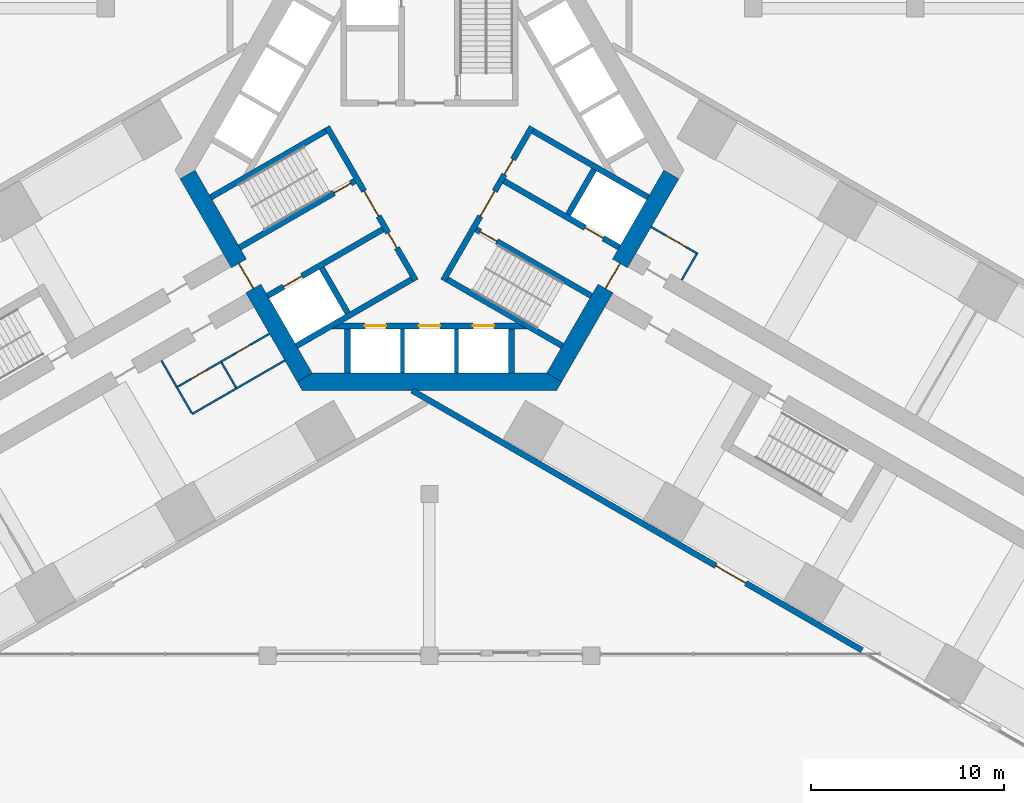
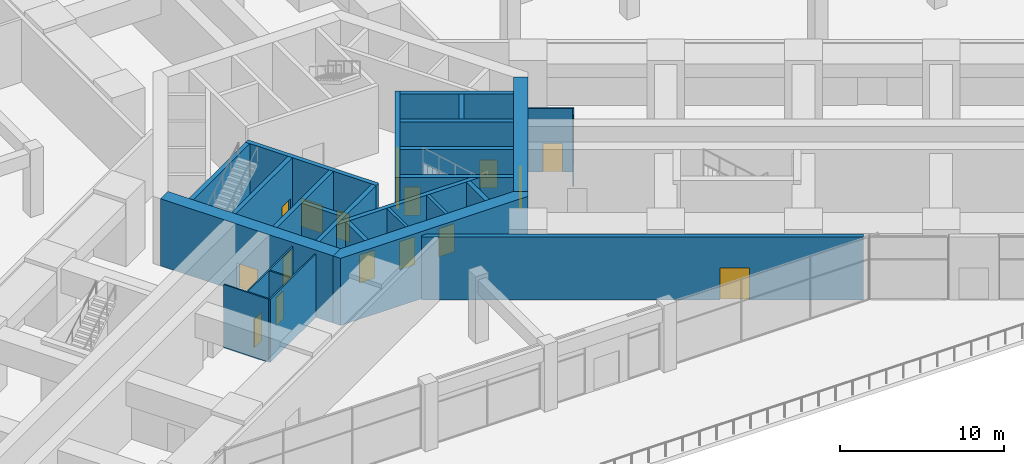
# One storey, part 27 of 34: 27 walls, 17 doors, 17 openings.
"""IFC4 building model written with IfcOpenShell, lengths in metres."""

from ifc_helpers import new_model, si_unit, direction, frame, frame_2d, origin, place, context, subcontext, project, spatial, polyline, rectangle, outline, extrude, material, layer, layer_set, type_object, element, fill, save


model = new_model("IFC4")

# Units and contexts
model_context = context("Model", 3, precision=1e-05, world=origin(), true_north=direction((0.0, 1.0)))
body_context = subcontext(model_context, "Body", "Model", "MODEL_VIEW")
ifc_project = project(units=[si_unit("LENGTHUNIT", "METRE"), si_unit("AREAUNIT", "SQUARE_METRE"), si_unit("VOLUMEUNIT", "CUBIC_METRE"), si_unit("PLANEANGLEUNIT", "RADIAN"), si_unit("MASSUNIT", "GRAM", prefix="KILO")], contexts=[model_context])

# Site, building, storey
site_placement = place(None, origin())
site = spatial("IfcSite", under=ifc_project, at=site_placement, CompositionType="ELEMENT")
building_placement = place(site_placement, origin())
building = spatial("IfcBuilding", under=site, at=building_placement, Name="Impinga Residences", CompositionType="ELEMENT")
storey_placement = place(building_placement, frame((0.0, 0.0, 11.0)))
storey = spatial("IfcBuildingStorey", under=building, at=storey_placement, Name="L02", CompositionType="ELEMENT", Elevation=11.0)

# Wall, opening, door
ifc_material_1 = material(Name="Concrete blockwork", Category="masonry")
ifc_layer_1 = layer(ifc_material_1, 0.10009765625)
ifc_layer_set_1 = layer_set([ifc_layer_1], Name="CP1 core room partition, blockwork 100")
wall_type_1 = type_object("IfcWallType", Name="CP1 core room partition, blockwork 100", PredefinedType="PARTITIONING", material=ifc_layer_set_1)
wall_1_placement = place(storey_placement, frame((11.5, -2.944580078125, 0.0), z_axis=(0.0, 0.0, 1.0), x_axis=(0.866034573852, -0.49998411664, 0.0)))
wall_1 = element("IfcWall", 1, at=wall_1_placement, inside=storey, type_object=wall_type_1, Name="Core room partition, blockwork L02-EA1:L1", PredefinedType="PARTITIONING", context=body_context, shape_type="SweptSolid", body=[
    extrude(rectangle(XDim=2.7998046875, YDim=0.10009765625, at=frame_2d((1.39990234375, 0.0))), origin(), (0.0, 0.0, 1.0), 4.699951171875),
])
opening_1_placement = place(wall_1_placement, frame((0.89990234375, 0.0, 0.0)))
opening_1 = element("IfcOpeningElement", 2, at=opening_1_placement, cuts=wall_1, Name="Opening D3", PredefinedType="OPENING", context=body_context, shape_type="SweptSolid", body=[
    extrude(rectangle(XDim=1.199951171875, YDim=2.10009765625, at=frame_2d((0.60009765625, 1.050048828125))), frame((0.0, 0.06005859375, 0.0), z_axis=(0.0, -1.0, 0.0), x_axis=(1.0, 0.0, 0.0)), (0.0, 0.0, 1.0), 0.1201171875),
])
ifc_material_2 = material(Name="Timber door set", Category="wood")
door_type_1 = type_object("IfcDoorType", Name="D3 room door, leaf and a half 1200x2100", OperationType="DOUBLE_SWING_LEFT", PredefinedType="DOOR", material=ifc_material_2)
door_1_placement = place(opening_1_placement, origin())
door_1 = element("IfcDoor", 3, at=door_1_placement, inside=storey, type_object=door_type_1, Name="Filtration plant room door L02-EA1", OperationType="DOUBLE_SWING_LEFT", OverallHeight=2.10009765625, OverallWidth=1.199951171875, PredefinedType="DOOR", context=body_context, shape_type="SweptSolid", body=[
    extrude(rectangle(XDim=1.199951171875, YDim=2.10009765625, at=frame_2d((0.60009765625, 1.050048828125))), frame((0.0, 0.02490234375, 0.0), z_axis=(0.0, -1.0, 0.0), x_axis=(1.0, 0.0, 0.0)), (0.0, 0.0, 1.0), 0.050048828125),
])
fill(opening_1, door_1)

# Wall
wall_2_placement = place(storey_placement, frame((13.08154296875, -5.705078125, 0.0), z_axis=(0.0, 0.0, 1.0), x_axis=(0.500086022567, 0.865975732936, 0.0)))
element("IfcWall", 4, at=wall_2_placement, inside=storey, type_object=wall_type_1, Name="Core room partition, blockwork L02-EA1:L2", PredefinedType="PARTITIONING", context=body_context, shape_type="SweptSolid", body=[
    extrude(rectangle(XDim=1.550048828125, YDim=0.10009765625, at=frame_2d((0.77490234375, 0.0))), origin(), (0.0, 0.0, 1.0), 4.699951171875),
])

# Wall, openings, doors
ifc_material_3 = material(Name="Gypsum board on steel studs", Category="steel")
ifc_layer_2 = layer(ifc_material_3, 0.10009765625)
ifc_layer_set_2 = layer_set([ifc_layer_2], Name="Gypsum board on steel studs")
wall_type_2 = type_object("IfcWallType", Name="IP1 partition 100", PredefinedType="PARTITIONING", material=ifc_layer_set_2)
wall_3_placement = place(storey_placement, frame((-8.300048828125, -8.487060546875, 0.0), z_axis=(0.0, 0.0, 1.0), x_axis=(-0.866015695474, -0.500016814911, 0.0)))
wall_3 = element("IfcWall", 5, at=wall_3_placement, inside=storey, type_object=wall_type_2, Name="Partition L02-WA1:L1", PredefinedType="PARTITIONING", context=body_context, shape_type="SweptSolid", body=[
    extrude(rectangle(XDim=5.599853515625, YDim=0.10009765625, at=frame_2d((2.7998046875, 0.0))), origin(), (0.0, 0.0, 1.0), 4.699951171875),
])
opening_2_placement = place(wall_3_placement, frame((1.125, 0.0, 0.0)))
opening_2 = element("IfcOpeningElement", 6, at=opening_2_placement, cuts=wall_3, Name="Opening D2", PredefinedType="OPENING", context=body_context, shape_type="SweptSolid", body=[
    extrude(rectangle(XDim=0.89990234375, YDim=2.10009765625, at=frame_2d((0.449951171875, 1.050048828125))), frame((0.0, 0.06005859375, 0.0), z_axis=(0.0, -1.0, 0.0), x_axis=(1.0, 0.0, 0.0)), (0.0, 0.0, 1.0), 0.1201171875),
])
opening_3_placement = place(wall_3_placement, frame((3.77490234375, 0.0, 0.0)))
opening_3 = element("IfcOpeningElement", 7, at=opening_3_placement, cuts=wall_3, Name="Opening D2", PredefinedType="OPENING", context=body_context, shape_type="SweptSolid", body=[
    extrude(rectangle(XDim=0.89990234375, YDim=2.10009765625, at=frame_2d((0.449951171875, 1.050048828125))), frame((0.0, 0.06005859375, 0.0), z_axis=(0.0, -1.0, 0.0), x_axis=(1.0, 0.0, 0.0)), (0.0, 0.0, 1.0), 0.1201171875),
])
door_type_2 = type_object("IfcDoorType", Name="D2 internal door 900x2100", OperationType="SINGLE_SWING_LEFT", PredefinedType="DOOR", material=ifc_material_2)
door_2_placement = place(opening_2_placement, origin())
door_2 = element("IfcDoor", 8, at=door_2_placement, inside=storey, type_object=door_type_2, Name="WC door L02-WA1", OperationType="SINGLE_SWING_LEFT", OverallHeight=2.10009765625, OverallWidth=0.89990234375, PredefinedType="DOOR", context=body_context, shape_type="SweptSolid", body=[
    extrude(rectangle(XDim=0.89990234375, YDim=2.10009765625, at=frame_2d((0.449951171875, 1.050048828125))), frame((0.0, 0.02490234375, 0.0), z_axis=(0.0, -1.0, 0.0), x_axis=(1.0, 0.0, 0.0)), (0.0, 0.0, 1.0), 0.050048828125),
])
fill(opening_2, door_2)
door_3_placement = place(opening_3_placement, origin())
door_3 = element("IfcDoor", 9, at=door_3_placement, inside=storey, type_object=door_type_2, Name="Accessible WC door L02-WA1", OperationType="SINGLE_SWING_RIGHT", OverallHeight=2.10009765625, OverallWidth=0.89990234375, PredefinedType="DOOR", context=body_context, shape_type="SweptSolid", body=[
    extrude(rectangle(XDim=0.89990234375, YDim=2.10009765625, at=frame_2d((0.449951171875, 1.050048828125))), frame((0.0, 0.02490234375, 0.0), z_axis=(0.0, -1.0, 0.0), x_axis=(1.0, 0.0, 0.0)), (0.0, 0.0, 1.0), 0.050048828125),
])
fill(opening_3, door_3)

# Walls
wall_4_placement = place(storey_placement, frame((-10.786376953125, -9.98046875, 0.0), z_axis=(0.0, 0.0, 1.0), x_axis=(0.500060622324, -0.86599040064, 0.0)))
element("IfcWall", 10, at=wall_4_placement, inside=storey, type_object=wall_type_2, Name="Partition L02-WA1:T1", PredefinedType="PARTITIONING", context=body_context, shape_type="SweptSolid", body=[
    extrude(rectangle(XDim=1.499755859375, YDim=0.10009765625, at=frame_2d((0.75, 0.0))), origin(), (0.0, 0.0, 1.0), 4.699951171875),
])
wall_5_placement = place(storey_placement, frame((-7.5, -9.872802734375, 0.0), z_axis=(0.0, 0.0, 1.0), x_axis=(-0.866031018186, -0.499990275446, 0.0)))
element("IfcWall", 11, at=wall_5_placement, inside=storey, type_object=wall_type_2, Name="Partition L02-WA1:T2", PredefinedType="PARTITIONING", context=body_context, shape_type="SweptSolid", body=[
    extrude(rectangle(XDim=5.5498046875, YDim=0.10009765625, at=frame_2d((2.77490234375, 0.0))), origin(), (0.0, 0.0, 1.0), 4.699951171875),
])
wall_6_placement = place(storey_placement, frame((-13.906494140625, -9.87646484375, 0.0), z_axis=(0.0, 0.0, 1.0), x_axis=(0.499981869177, -0.866035871367, 0.0)))
element("IfcWall", 12, at=wall_6_placement, inside=storey, type_object=wall_type_2, Name="Partition L02-WA1:T3", PredefinedType="PARTITIONING", context=body_context, shape_type="SweptSolid", body=[
    extrude(rectangle(XDim=3.14990234375, YDim=0.10009765625, at=frame_2d((1.574951171875, 0.0))), origin(), (0.0, 0.0, 1.0), 4.699951171875),
])

# Wall, opening, door
ifc_layer_3 = layer(ifc_material_1, 0.300048828125)
ifc_layer_set_3 = layer_set([ifc_layer_3], Name="PW3 podium wall on the wing face 300")
wall_type_3 = type_object("IfcWallType", Name="PW3 podium wall on the wing face 300", PredefinedType="SOLIDWALL", material=ifc_layer_set_3)
wall_7_placement = place(storey_placement, frame((-0.89990234375, -11.431640625, 0.0), z_axis=(0.0, 0.0, 1.0), x_axis=(0.866028700395, -0.49999429006, 0.0)))
wall_7 = element("IfcWall", 13, at=wall_7_placement, inside=storey, type_object=wall_type_3, Name="Podium wall on the wing face L02:SIDE:EF0", PredefinedType="SOLIDWALL", context=body_context, shape_type="SweptSolid", body=[
    extrude(rectangle(XDim=26.950927734375, YDim=0.300048828125, at=frame_2d((13.4755859375, 0.0))), origin(), (0.0, 0.0, 1.0), 4.699951171875),
])
opening_4_placement = place(wall_7_placement, frame((18.1953125, 0.0, 0.0)))
opening_4 = element("IfcOpeningElement", 14, at=opening_4_placement, cuts=wall_7, Name="Opening D7", PredefinedType="OPENING", context=body_context, shape_type="SweptSolid", body=[
    extrude(rectangle(XDim=1.800048828125, YDim=2.39990234375, at=frame_2d((0.89990234375, 1.199951171875))), frame((0.0, 0.159912109375, 0.0), z_axis=(0.0, -1.0, 0.0), x_axis=(1.0, 0.0, 0.0)), (0.0, 0.0, 1.0), 0.320068359375),
])
door_type_3 = type_object("IfcDoorType", Name="D7 podium door pair 1800x2400", OperationType="DOUBLE_DOOR_DOUBLE_SWING", PredefinedType="DOOR", material=ifc_material_2)
door_4_placement = place(opening_4_placement, origin())
door_4 = element("IfcDoor", 15, at=door_4_placement, inside=storey, type_object=door_type_3, Name="Double door EF", OperationType="DOUBLE_DOOR_DOUBLE_SWING", OverallHeight=2.39990234375, OverallWidth=1.800048828125, PredefinedType="DOOR", context=body_context, shape_type="SweptSolid", body=[
    extrude(rectangle(XDim=1.800048828125, YDim=2.39990234375, at=frame_2d((0.89990234375, 1.199951171875))), frame((0.0, 0.02490234375, 0.0), z_axis=(0.0, -1.0, 0.0), x_axis=(1.0, 0.0, 0.0)), (0.0, 0.0, 1.0), 0.050048828125),
])
fill(opening_4, door_4)

ifc_material_4 = material(Name="Concrete C70/85", Category="concrete")
ifc_layer_4 = layer(ifc_material_4, 0.89990234375)
ifc_layer_set_4 = layer_set([ifc_layer_4], Name="Concrete C70/85")
wall_type_4 = type_object("IfcWallType", Name="SW1 core wall 900", PredefinedType="SHEAR", material=ifc_layer_set_4)
wall_8_placement = place(storey_placement, frame((-6.47021484375, -10.756591796875, 0.0), z_axis=(0.0, 0.0, 1.0), x_axis=(-0.499997612506, 0.8660267822, 0.0)))
wall_8 = element("IfcWall", 16, at=wall_8_placement, inside=storey, type_object=wall_type_4, Name="Core wall SW1 W:FACE L02", PredefinedType="SHEAR", context=body_context, shape_type="SweptSolid", body=[
    extrude(rectangle(XDim=12.16064453125, YDim=0.89990234375, at=frame_2d((6.080322265625, 0.0))), origin(), (0.0, 0.0, 1.0), 5.0),
])
opening_5_placement = place(wall_8_placement, frame((5.330322265625, 0.0, 0.0)))
opening_5 = element("IfcOpeningElement", 17, at=opening_5_placement, cuts=wall_8, Name="Opening D4", PredefinedType="OPENING", context=body_context, shape_type="SweptSolid", body=[
    extrude(rectangle(XDim=1.5, YDim=2.10009765625, at=frame_2d((0.75, 1.050048828125))), frame((0.0, 0.4599609375, 0.0), z_axis=(0.0, -1.0, 0.0), x_axis=(1.0, 0.0, 0.0)), (0.0, 0.0, 1.0), 0.919921875),
])
door_type_4 = type_object("IfcDoorType", Name="D4 lobby door pair 1500x2100", OperationType="DOUBLE_DOOR_DOUBLE_SWING", PredefinedType="DOOR", material=ifc_material_2)
door_5_placement = place(opening_5_placement, origin())
door_5 = element("IfcDoor", 18, at=door_5_placement, inside=storey, type_object=door_type_4, Name="Lobby door W", OperationType="DOUBLE_DOOR_DOUBLE_SWING", OverallHeight=2.10009765625, OverallWidth=1.5, PredefinedType="DOOR", context=body_context, shape_type="SweptSolid", body=[
    extrude(rectangle(XDim=1.5, YDim=2.10009765625, at=frame_2d((0.75, 1.050048828125))), frame((0.0, 0.02490234375, 0.0), z_axis=(0.0, -1.0, 0.0), x_axis=(1.0, 0.0, 0.0)), (0.0, 0.0, 1.0), 0.050048828125),
])
fill(opening_5, door_5)

wall_9_placement = place(storey_placement, frame((12.550537109375, -0.22509765625, 0.0), z_axis=(0.0, 0.0, 1.0), x_axis=(-0.499997612506, -0.8660267822, 0.0)))
wall_9 = element("IfcWall", 19, at=wall_9_placement, inside=storey, type_object=wall_type_4, Name="Core wall SW1 E:FACE L02", PredefinedType="SHEAR", context=body_context, shape_type="SweptSolid", body=[
    extrude(rectangle(XDim=12.16064453125, YDim=0.89990234375, at=frame_2d((6.080322265625, 0.0))), origin(), (0.0, 0.0, 1.0), 5.0),
])
opening_6_placement = place(wall_9_placement, frame((5.330322265625, 0.0, 0.0)))
opening_6 = element("IfcOpeningElement", 20, at=opening_6_placement, cuts=wall_9, Name="Opening D4", PredefinedType="OPENING", context=body_context, shape_type="SweptSolid", body=[
    extrude(rectangle(XDim=1.5, YDim=2.10009765625, at=frame_2d((0.75, 1.050048828125))), frame((0.0, 0.4599609375, 0.0), z_axis=(0.0, -1.0, 0.0), x_axis=(1.0, 0.0, 0.0)), (0.0, 0.0, 1.0), 0.919921875),
])
door_6_placement = place(opening_6_placement, origin())
door_6 = element("IfcDoor", 21, at=door_6_placement, inside=storey, type_object=door_type_4, Name="Lobby door E", OperationType="DOUBLE_DOOR_DOUBLE_SWING", OverallHeight=2.10009765625, OverallWidth=1.5, PredefinedType="DOOR", context=body_context, shape_type="SweptSolid", body=[
    extrude(rectangle(XDim=1.5, YDim=2.10009765625, at=frame_2d((0.75, 1.050048828125))), frame((0.0, 0.02490234375, 0.0), z_axis=(0.0, -1.0, 0.0), x_axis=(1.0, 0.0, 0.0)), (0.0, 0.0, 1.0), 0.050048828125),
])
fill(opening_6, door_6)

# Wall
wall_10_placement = place(storey_placement, origin())
element("IfcWall", 22, at=wall_10_placement, inside=storey, type_object=wall_type_4, Name="Core wall SW1 N:EXPOSED L02", PredefinedType="SHEAR", context=body_context, shape_type="SweptSolid", body=[
    extrude(outline(polyline([(-6.60009765625, -11.431640625), (6.60009765625, -11.431640625), (6.85986328125, -10.9814453125), (6.080322265625, -10.531494140625), (-6.080322265625, -10.531494140625), (-6.85986328125, -10.9814453125), (-6.60009765625, -11.431640625)])), origin(), (0.0, 0.0, 1.0), 5.0),
])

# Wall, openings, doors
ifc_layer_5 = layer(ifc_material_4, 0.300048828125)
ifc_layer_set_5 = layer_set([ifc_layer_5], Name="Concrete C70/85")
wall_type_5 = type_object("IfcWallType", Name="SW5 core inner wall, stairs, shafts and lobbies 300", PredefinedType="SHEAR", material=ifc_layer_set_5)
wall_11_placement = place(storey_placement, frame((-0.7138671875, -5.7236328125, 0.0), z_axis=(0.0, 0.0, 1.0), x_axis=(-0.499995050369, 0.866028261437, 0.0)))
wall_11 = element("IfcWall", 23, at=wall_11_placement, inside=storey, type_object=wall_type_5, Name="Core wall SW5 W:ZONE L02", PredefinedType="SHEAR", context=body_context, shape_type="SweptSolid", body=[
    extrude(rectangle(XDim=9.19970703125, YDim=0.300048828125, at=frame_2d((4.599853515625, 0.0))), origin(), (0.0, 0.0, 1.0), 5.0),
])
opening_7_placement = place(wall_11_placement, frame((3.85009765625, 0.0, 0.0)))
opening_7 = element("IfcOpeningElement", 24, at=opening_7_placement, cuts=wall_11, Name="Opening D4", PredefinedType="OPENING", context=body_context, shape_type="SweptSolid", body=[
    extrude(rectangle(XDim=1.5, YDim=2.10009765625, at=frame_2d((0.75, 1.050048828125))), frame((0.0, 0.159912109375, 0.0), z_axis=(0.0, -1.0, 0.0), x_axis=(1.0, 0.0, 0.0)), (0.0, 0.0, 1.0), 0.320068359375),
])
opening_8_placement = place(wall_11_placement, frame((1.949951171875, 0.0, 0.0)))
opening_8 = element("IfcOpeningElement", 25, at=opening_8_placement, cuts=wall_11, Name="Opening D6", PredefinedType="OPENING", context=body_context, shape_type="SweptSolid", body=[
    extrude(rectangle(XDim=0.89990234375, YDim=2.10009765625, at=frame_2d((0.449951171875, 1.050048828125))), frame((0.0, 0.159912109375, 0.0), z_axis=(0.0, -1.0, 0.0), x_axis=(1.0, 0.0, 0.0)), (0.0, 0.0, 1.0), 0.320068359375),
])
door_7_placement = place(opening_7_placement, origin())
door_7 = element("IfcDoor", 26, at=door_7_placement, inside=storey, type_object=door_type_4, Name="Firefighting lobby door W", OperationType="DOUBLE_DOOR_DOUBLE_SWING", OverallHeight=2.10009765625, OverallWidth=1.5, PredefinedType="DOOR", context=body_context, shape_type="SweptSolid", body=[
    extrude(rectangle(XDim=1.5, YDim=2.10009765625, at=frame_2d((0.75, 1.050048828125))), frame((0.0, 0.02490234375, 0.0), z_axis=(0.0, -1.0, 0.0), x_axis=(1.0, 0.0, 0.0)), (0.0, 0.0, 1.0), 0.050048828125),
])
fill(opening_7, door_7)
door_type_5 = type_object("IfcDoorType", Name="D6 riser and store door 900x2100", OperationType="SINGLE_SWING_LEFT", PredefinedType="DOOR", material=ifc_material_2)
door_8_placement = place(opening_8_placement, origin())
door_8 = element("IfcDoor", 27, at=door_8_placement, inside=storey, type_object=door_type_5, Name="Riser door W", OperationType="SINGLE_SWING_LEFT", OverallHeight=2.10009765625, OverallWidth=0.89990234375, PredefinedType="DOOR", context=body_context, shape_type="SweptSolid", body=[
    extrude(rectangle(XDim=0.89990234375, YDim=2.10009765625, at=frame_2d((0.449951171875, 1.050048828125))), frame((0.0, 0.02490234375, 0.0), z_axis=(0.0, -1.0, 0.0), x_axis=(1.0, 0.0, 0.0)), (0.0, 0.0, 1.0), 0.050048828125),
])
fill(opening_8, door_8)

# Wall, opening, door
wall_12_placement = place(storey_placement, frame((-3.86865234375, -0.559326171875, 0.0), z_axis=(0.0, 0.0, 1.0), x_axis=(-0.86602711848, -0.499997030048, 0.0)))
wall_12 = element("IfcWall", 28, at=wall_12_placement, inside=storey, type_object=wall_type_5, Name="Core wall SW5 W:ST-IN L02", PredefinedType="SHEAR", context=body_context, shape_type="SweptSolid", body=[
    extrude(rectangle(XDim=6.9013671875, YDim=0.300048828125, at=frame_2d((3.45068359375, 0.0))), origin(), (0.0, 0.0, 1.0), 5.0),
])
opening_9_placement = place(wall_12_placement, frame((0.25, 0.0, 0.0)))
opening_9 = element("IfcOpeningElement", 29, at=opening_9_placement, cuts=wall_12, Name="Opening D5", PredefinedType="OPENING", context=body_context, shape_type="SweptSolid", body=[
    extrude(rectangle(XDim=1.0, YDim=2.10009765625, at=frame_2d((0.5, 1.050048828125))), frame((0.0, 0.159912109375, 0.0), z_axis=(0.0, -1.0, 0.0), x_axis=(1.0, 0.0, 0.0)), (0.0, 0.0, 1.0), 0.320068359375),
])
door_type_6 = type_object("IfcDoorType", Name="D5 stair door 1000x2100", OperationType="SINGLE_SWING_LEFT", PredefinedType="DOOR", material=ifc_material_2)
door_9_placement = place(opening_9_placement, origin())
door_9 = element("IfcDoor", 30, at=door_9_placement, inside=storey, type_object=door_type_6, Name="Stair door W", OperationType="SINGLE_SWING_LEFT", OverallHeight=2.10009765625, OverallWidth=1.0, PredefinedType="DOOR", context=body_context, shape_type="SweptSolid", body=[
    extrude(rectangle(XDim=1.0, YDim=2.10009765625, at=frame_2d((0.5, 1.050048828125))), frame((0.0, 0.02490234375, 0.0), z_axis=(0.0, -1.0, 0.0), x_axis=(1.0, 0.0, 0.0)), (0.0, 0.0, 1.0), 0.050048828125),
])
fill(opening_9, door_9)

# Wall
wall_13_placement = place(storey_placement, frame((-5.36865234375, 2.038818359375, 0.0), z_axis=(0.0, 0.0, 1.0), x_axis=(-0.86602711848, -0.499997030048, 0.0)))
element("IfcWall", 31, at=wall_13_placement, inside=storey, type_object=wall_type_5, Name="Core wall SW5 W:ST-OUT L02", PredefinedType="SHEAR", context=body_context, shape_type="SweptSolid", body=[
    extrude(rectangle(XDim=6.9013671875, YDim=0.300048828125, at=frame_2d((3.45068359375, 0.0))), origin(), (0.0, 0.0, 1.0), 5.0),
])

# Wall, opening, door
wall_14_placement = place(storey_placement, frame((-2.418701171875, -3.07080078125, 0.0), z_axis=(0.0, 0.0, 1.0), x_axis=(-0.86602711848, -0.499997030048, 0.0)))
wall_14 = element("IfcWall", 32, at=wall_14_placement, inside=storey, type_object=wall_type_5, Name="Core wall SW5 W:FF-IN L02", PredefinedType="SHEAR", context=body_context, shape_type="SweptSolid", body=[
    extrude(rectangle(XDim=6.9013671875, YDim=0.300048828125, at=frame_2d((3.45068359375, 0.0))), origin(), (0.0, 0.0, 1.0), 5.0),
])
opening_10_placement = place(wall_14_placement, frame((4.85009765625, 0.0, 0.0)))
opening_10 = element("IfcOpeningElement", 33, at=opening_10_placement, cuts=wall_14, Name="Opening LD2", PredefinedType="OPENING", context=body_context, shape_type="SweptSolid", body=[
    extrude(rectangle(XDim=1.10009765625, YDim=2.10009765625, at=frame_2d((0.550048828125, 1.050048828125))), frame((0.0, 0.159912109375, 0.0), z_axis=(0.0, -1.0, 0.0), x_axis=(1.0, 0.0, 0.0)), (0.0, 0.0, 1.0), 0.320068359375),
])
ifc_material_5 = material(Name="Steel lift landing door", Category="steel")
door_type_7 = type_object("IfcDoorType", Name="LD2 firefighting lift landing door 1100x2100", OperationType="DOUBLE_DOOR_SLIDING", PredefinedType="DOOR", material=ifc_material_5)
door_10_placement = place(opening_10_placement, origin())
door_10 = element("IfcDoor", 34, at=door_10_placement, inside=storey, type_object=door_type_7, Name="Firefighting lift landing door F2", OperationType="DOUBLE_DOOR_SLIDING", OverallHeight=2.10009765625, OverallWidth=1.10009765625, PredefinedType="DOOR", context=body_context, shape_type="SweptSolid", body=[
    extrude(rectangle(XDim=1.10009765625, YDim=2.10009765625, at=frame_2d((0.550048828125, 1.050048828125))), frame((0.0, 0.02490234375, 0.0), z_axis=(0.0, -1.0, 0.0), x_axis=(1.0, 0.0, 0.0)), (0.0, 0.0, 1.0), 0.050048828125),
])
fill(opening_10, door_10)

# Walls
wall_15_placement = place(storey_placement, frame((-0.918701171875, -5.668701171875, 0.0), z_axis=(0.0, 0.0, 1.0), x_axis=(-0.866011800373, -0.500023561059, 0.0)))
element("IfcWall", 35, at=wall_15_placement, inside=storey, type_object=wall_type_5, Name="Core wall SW5 W:FF-OUT L02", PredefinedType="SHEAR", context=body_context, shape_type="SweptSolid", body=[
    extrude(rectangle(XDim=6.901611328125, YDim=0.300048828125, at=frame_2d((3.45068359375, 0.0))), origin(), (0.0, 0.0, 1.0), 5.0),
])
wall_16_placement = place(storey_placement, frame((-4.2412109375, -7.413818359375, 0.0), z_axis=(0.0, 0.0, 1.0), x_axis=(-0.500048589285, 0.86599734893, 0.0)))
element("IfcWall", 36, at=wall_16_placement, inside=storey, type_object=wall_type_5, Name="Core wall SW5 W:FF-RS L02", PredefinedType="SHEAR", context=body_context, shape_type="SweptSolid", body=[
    extrude(rectangle(XDim=2.699951171875, YDim=0.300048828125, at=frame_2d((1.35009765625, 0.0))), origin(), (0.0, 0.0, 1.0), 5.0),
])

# Wall, openings, doors
wall_17_placement = place(storey_placement, frame((5.313720703125, 2.24365234375, 0.0), z_axis=(0.0, 0.0, 1.0), x_axis=(-0.499995050369, -0.866028261437, 0.0)))
wall_17 = element("IfcWall", 37, at=wall_17_placement, inside=storey, type_object=wall_type_5, Name="Core wall SW5 E:ZONE L02", PredefinedType="SHEAR", context=body_context, shape_type="SweptSolid", body=[
    extrude(rectangle(XDim=9.19970703125, YDim=0.300048828125, at=frame_2d((4.599853515625, 0.0))), origin(), (0.0, 0.0, 1.0), 5.0),
])
opening_11_placement = place(wall_17_placement, frame((3.85009765625, 0.0, 0.0)))
opening_11 = element("IfcOpeningElement", 38, at=opening_11_placement, cuts=wall_17, Name="Opening D4", PredefinedType="OPENING", context=body_context, shape_type="SweptSolid", body=[
    extrude(rectangle(XDim=1.5, YDim=2.10009765625, at=frame_2d((0.75, 1.050048828125))), frame((0.0, 0.159912109375, 0.0), z_axis=(0.0, -1.0, 0.0), x_axis=(1.0, 0.0, 0.0)), (0.0, 0.0, 1.0), 0.320068359375),
])
opening_12_placement = place(wall_17_placement, frame((1.949951171875, 0.0, 0.0)))
opening_12 = element("IfcOpeningElement", 39, at=opening_12_placement, cuts=wall_17, Name="Opening D6", PredefinedType="OPENING", context=body_context, shape_type="SweptSolid", body=[
    extrude(rectangle(XDim=0.89990234375, YDim=2.10009765625, at=frame_2d((0.449951171875, 1.050048828125))), frame((0.0, 0.159912109375, 0.0), z_axis=(0.0, -1.0, 0.0), x_axis=(1.0, 0.0, 0.0)), (0.0, 0.0, 1.0), 0.320068359375),
])
door_11_placement = place(opening_11_placement, origin())
door_11 = element("IfcDoor", 40, at=door_11_placement, inside=storey, type_object=door_type_4, Name="Firefighting lobby door E", OperationType="DOUBLE_DOOR_DOUBLE_SWING", OverallHeight=2.10009765625, OverallWidth=1.5, PredefinedType="DOOR", context=body_context, shape_type="SweptSolid", body=[
    extrude(rectangle(XDim=1.5, YDim=2.10009765625, at=frame_2d((0.75, 1.050048828125))), frame((0.0, 0.02490234375, 0.0), z_axis=(0.0, -1.0, 0.0), x_axis=(1.0, 0.0, 0.0)), (0.0, 0.0, 1.0), 0.050048828125),
])
fill(opening_11, door_11)
door_12_placement = place(opening_12_placement, origin())
door_12 = element("IfcDoor", 41, at=door_12_placement, inside=storey, type_object=door_type_5, Name="Riser door E", OperationType="SINGLE_SWING_LEFT", OverallHeight=2.10009765625, OverallWidth=0.89990234375, PredefinedType="DOOR", context=body_context, shape_type="SweptSolid", body=[
    extrude(rectangle(XDim=0.89990234375, YDim=2.10009765625, at=frame_2d((0.449951171875, 1.050048828125))), frame((0.0, 0.02490234375, 0.0), z_axis=(0.0, -1.0, 0.0), x_axis=(1.0, 0.0, 0.0)), (0.0, 0.0, 1.0), 0.050048828125),
])
fill(opening_12, door_12)

# Wall, opening, door
wall_18_placement = place(storey_placement, frame((2.418701171875, -3.07080078125, 0.0), z_axis=(0.0, 0.0, 1.0), x_axis=(0.86602711848, -0.499997030048, 0.0)))
wall_18 = element("IfcWall", 42, at=wall_18_placement, inside=storey, type_object=wall_type_5, Name="Core wall SW5 E:ST-IN L02", PredefinedType="SHEAR", context=body_context, shape_type="SweptSolid", body=[
    extrude(rectangle(XDim=6.9013671875, YDim=0.300048828125, at=frame_2d((3.45068359375, 0.0))), origin(), (0.0, 0.0, 1.0), 5.0),
])
opening_13_placement = place(wall_18_placement, frame((0.25, 0.0, 0.0)))
opening_13 = element("IfcOpeningElement", 43, at=opening_13_placement, cuts=wall_18, Name="Opening D5", PredefinedType="OPENING", context=body_context, shape_type="SweptSolid", body=[
    extrude(rectangle(XDim=1.0, YDim=2.10009765625, at=frame_2d((0.5, 1.050048828125))), frame((0.0, 0.159912109375, 0.0), z_axis=(0.0, -1.0, 0.0), x_axis=(1.0, 0.0, 0.0)), (0.0, 0.0, 1.0), 0.320068359375),
])
door_13_placement = place(opening_13_placement, origin())
door_13 = element("IfcDoor", 44, at=door_13_placement, inside=storey, type_object=door_type_6, Name="Stair door E", OperationType="SINGLE_SWING_LEFT", OverallHeight=2.10009765625, OverallWidth=1.0, PredefinedType="DOOR", context=body_context, shape_type="SweptSolid", body=[
    extrude(rectangle(XDim=1.0, YDim=2.10009765625, at=frame_2d((0.5, 1.050048828125))), frame((0.0, 0.02490234375, 0.0), z_axis=(0.0, -1.0, 0.0), x_axis=(1.0, 0.0, 0.0)), (0.0, 0.0, 1.0), 0.050048828125),
])
fill(opening_13, door_13)

# Wall
wall_19_placement = place(storey_placement, frame((0.918701171875, -5.668701171875, 0.0), z_axis=(0.0, 0.0, 1.0), x_axis=(0.866011800373, -0.500023561059, 0.0)))
element("IfcWall", 45, at=wall_19_placement, inside=storey, type_object=wall_type_5, Name="Core wall SW5 E:ST-OUT L02", PredefinedType="SHEAR", context=body_context, shape_type="SweptSolid", body=[
    extrude(rectangle(XDim=6.901611328125, YDim=0.300048828125, at=frame_2d((3.45068359375, 0.0))), origin(), (0.0, 0.0, 1.0), 5.0),
])

# Wall, opening, door
wall_20_placement = place(storey_placement, frame((3.86865234375, -0.559326171875, 0.0), z_axis=(0.0, 0.0, 1.0), x_axis=(0.86602711848, -0.499997030048, 0.0)))
wall_20 = element("IfcWall", 46, at=wall_20_placement, inside=storey, type_object=wall_type_5, Name="Core wall SW5 E:FF-IN L02", PredefinedType="SHEAR", context=body_context, shape_type="SweptSolid", body=[
    extrude(rectangle(XDim=6.9013671875, YDim=0.300048828125, at=frame_2d((3.45068359375, 0.0))), origin(), (0.0, 0.0, 1.0), 5.0),
])
opening_14_placement = place(wall_20_placement, frame((4.85009765625, 0.0, 0.0)))
opening_14 = element("IfcOpeningElement", 47, at=opening_14_placement, cuts=wall_20, Name="Opening LD2", PredefinedType="OPENING", context=body_context, shape_type="SweptSolid", body=[
    extrude(rectangle(XDim=1.10009765625, YDim=2.10009765625, at=frame_2d((0.550048828125, 1.050048828125))), frame((0.0, 0.159912109375, 0.0), z_axis=(0.0, -1.0, 0.0), x_axis=(1.0, 0.0, 0.0)), (0.0, 0.0, 1.0), 0.320068359375),
])
door_14_placement = place(opening_14_placement, origin())
door_14 = element("IfcDoor", 48, at=door_14_placement, inside=storey, type_object=door_type_7, Name="Firefighting lift landing door F3", OperationType="DOUBLE_DOOR_SLIDING", OverallHeight=2.10009765625, OverallWidth=1.10009765625, PredefinedType="DOOR", context=body_context, shape_type="SweptSolid", body=[
    extrude(rectangle(XDim=1.10009765625, YDim=2.10009765625, at=frame_2d((0.550048828125, 1.050048828125))), frame((0.0, 0.02490234375, 0.0), z_axis=(0.0, -1.0, 0.0), x_axis=(1.0, 0.0, 0.0)), (0.0, 0.0, 1.0), 0.050048828125),
])
fill(opening_14, door_14)

# Walls
wall_21_placement = place(storey_placement, frame((5.36865234375, 2.038818359375, 0.0), z_axis=(0.0, 0.0, 1.0), x_axis=(0.86602711848, -0.499997030048, 0.0)))
element("IfcWall", 49, at=wall_21_placement, inside=storey, type_object=wall_type_5, Name="Core wall SW5 E:FF-OUT L02", PredefinedType="SHEAR", context=body_context, shape_type="SweptSolid", body=[
    extrude(rectangle(XDim=6.9013671875, YDim=0.300048828125, at=frame_2d((3.45068359375, 0.0))), origin(), (0.0, 0.0, 1.0), 5.0),
])
wall_22_placement = place(storey_placement, frame((8.541259765625, 0.033935546875, 0.0), z_axis=(0.0, 0.0, 1.0), x_axis=(-0.50000943426, -0.866019956843, 0.0)))
element("IfcWall", 50, at=wall_22_placement, inside=storey, type_object=wall_type_5, Name="Core wall SW5 E:FF-RS L02", PredefinedType="SHEAR", context=body_context, shape_type="SweptSolid", body=[
    extrude(rectangle(XDim=2.7001953125, YDim=0.300048828125, at=frame_2d((1.35009765625, 0.0))), origin(), (0.0, 0.0, 1.0), 5.0),
])

# Wall, openings, doors
wall_23_placement = place(storey_placement, frame((5.09765625, -8.08154296875, 0.0), z_axis=(0.0, 0.0, 1.0), x_axis=(-1.0, 0.0, 0.0)))
wall_23 = element("IfcWall", 51, at=wall_23_placement, inside=storey, type_object=wall_type_5, Name="Core wall SW5 N:BANK-FRONT L02", PredefinedType="SHEAR", context=body_context, shape_type="SweptSolid", body=[
    extrude(rectangle(XDim=10.1953125, YDim=0.300048828125, at=frame_2d((5.09765625, 0.0))), origin(), (0.0, 0.0, 1.0), 5.0),
])
opening_15_placement = place(wall_23_placement, frame((1.74755859375, 0.0, 0.0)))
opening_15 = element("IfcOpeningElement", 52, at=opening_15_placement, cuts=wall_23, Name="Opening LD1", PredefinedType="OPENING", context=body_context, shape_type="SweptSolid", body=[
    extrude(rectangle(XDim=1.10009765625, YDim=2.10009765625, at=frame_2d((0.550048828125, 1.050048828125))), frame((0.0, 0.159912109375, 0.0), z_axis=(0.0, -1.0, 0.0), x_axis=(1.0, 0.0, 0.0)), (0.0, 0.0, 1.0), 0.320068359375),
])
opening_16_placement = place(wall_23_placement, frame((4.547607421875, 0.0, 0.0)))
opening_16 = element("IfcOpeningElement", 53, at=opening_16_placement, cuts=wall_23, Name="Opening LD1", PredefinedType="OPENING", context=body_context, shape_type="SweptSolid", body=[
    extrude(rectangle(XDim=1.10009765625, YDim=2.10009765625, at=frame_2d((0.550048828125, 1.050048828125))), frame((0.0, 0.159912109375, 0.0), z_axis=(0.0, -1.0, 0.0), x_axis=(1.0, 0.0, 0.0)), (0.0, 0.0, 1.0), 0.320068359375),
])
opening_17_placement = place(wall_23_placement, frame((7.34765625, 0.0, 0.0)))
opening_17 = element("IfcOpeningElement", 54, at=opening_17_placement, cuts=wall_23, Name="Opening LD1", PredefinedType="OPENING", context=body_context, shape_type="SweptSolid", body=[
    extrude(rectangle(XDim=1.10009765625, YDim=2.10009765625, at=frame_2d((0.550048828125, 1.050048828125))), frame((0.0, 0.159912109375, 0.0), z_axis=(0.0, -1.0, 0.0), x_axis=(1.0, 0.0, 0.0)), (0.0, 0.0, 1.0), 0.320068359375),
])
door_type_8 = type_object("IfcDoorType", Name="LD1 passenger lift landing door 1100x2100", OperationType="DOUBLE_DOOR_SLIDING", PredefinedType="DOOR", material=ifc_material_5)
door_15_placement = place(opening_15_placement, origin())
door_15 = element("IfcDoor", 55, at=door_15_placement, inside=storey, type_object=door_type_8, Name="Lift landing door P1", OperationType="DOUBLE_DOOR_SLIDING", OverallHeight=2.10009765625, OverallWidth=1.10009765625, PredefinedType="DOOR", context=body_context, shape_type="SweptSolid", body=[
    extrude(rectangle(XDim=1.10009765625, YDim=2.10009765625, at=frame_2d((0.550048828125, 1.050048828125))), frame((0.0, 0.02490234375, 0.0), z_axis=(0.0, -1.0, 0.0), x_axis=(1.0, 0.0, 0.0)), (0.0, 0.0, 1.0), 0.050048828125),
])
fill(opening_15, door_15)
door_16_placement = place(opening_16_placement, origin())
door_16 = element("IfcDoor", 56, at=door_16_placement, inside=storey, type_object=door_type_8, Name="Lift landing door P2", OperationType="DOUBLE_DOOR_SLIDING", OverallHeight=2.10009765625, OverallWidth=1.10009765625, PredefinedType="DOOR", context=body_context, shape_type="SweptSolid", body=[
    extrude(rectangle(XDim=1.10009765625, YDim=2.10009765625, at=frame_2d((0.550048828125, 1.050048828125))), frame((0.0, 0.02490234375, 0.0), z_axis=(0.0, -1.0, 0.0), x_axis=(1.0, 0.0, 0.0)), (0.0, 0.0, 1.0), 0.050048828125),
])
fill(opening_16, door_16)
door_17_placement = place(opening_17_placement, origin())
door_17 = element("IfcDoor", 57, at=door_17_placement, inside=storey, type_object=door_type_8, Name="Lift landing door P3", OperationType="DOUBLE_DOOR_SLIDING", OverallHeight=2.10009765625, OverallWidth=1.10009765625, PredefinedType="DOOR", context=body_context, shape_type="SweptSolid", body=[
    extrude(rectangle(XDim=1.10009765625, YDim=2.10009765625, at=frame_2d((0.550048828125, 1.050048828125))), frame((0.0, 0.02490234375, 0.0), z_axis=(0.0, -1.0, 0.0), x_axis=(1.0, 0.0, 0.0)), (0.0, 0.0, 1.0), 0.050048828125),
])
fill(opening_17, door_17)

# Walls
for number, where, z_axis, x_axis, name in (
    (58, (4.25, -8.2314453125, 0.0), (0.0, 0.0, 1.0), (0.0, -1.0, 0.0), "Core wall SW5 N:BANK-L L02"),
    (59, (-4.25, -8.2314453125, 0.0), (0.0, 0.0, 1.0), (0.0, -1.0, 0.0), "Core wall SW5 N:BANK-R L02"),
):
    element("IfcWall", number, at=place(storey_placement, frame(where, z_axis=z_axis, x_axis=x_axis)), inside=storey, type_object=wall_type_5, Name=name, PredefinedType="SHEAR", context=body_context, shape_type="SweptSolid", body=[
        extrude(rectangle(XDim=2.300048828125, YDim=0.300048828125, at=frame_2d((1.14990234375, 0.0))), origin(), (0.0, 0.0, 1.0), 5.0),
    ])
ifc_layer_6 = layer(ifc_material_4, 0.199951171875)
ifc_layer_set_6 = layer_set([ifc_layer_6], Name="Concrete C70/85")
wall_type_6 = type_object("IfcWallType", Name="SW6 lift shaft divider wall 200", PredefinedType="SHEAR", material=ifc_layer_set_6)
for number, where, z_axis, x_axis, name in (
    (60, (1.39990234375, -8.2314453125, 0.0), (0.0, 0.0, 1.0), (0.0, -1.0, 0.0), "Core wall SW6 N:BANK-D1 L02"),
    (61, (-1.39990234375, -8.2314453125, 0.0), (0.0, 0.0, 1.0), (0.0, -1.0, 0.0), "Core wall SW6 N:BANK-D2 L02"),
):
    element("IfcWall", number, at=place(storey_placement, frame(where, z_axis=z_axis, x_axis=x_axis)), inside=storey, type_object=wall_type_6, Name=name, PredefinedType="SHEAR", context=body_context, shape_type="SweptSolid", body=[
        extrude(rectangle(XDim=2.300048828125, YDim=0.199951171875, at=frame_2d((1.14990234375, 0.0))), origin(), (0.0, 0.0, 1.0), 5.0),
    ])

save(model, "model.ifc")
